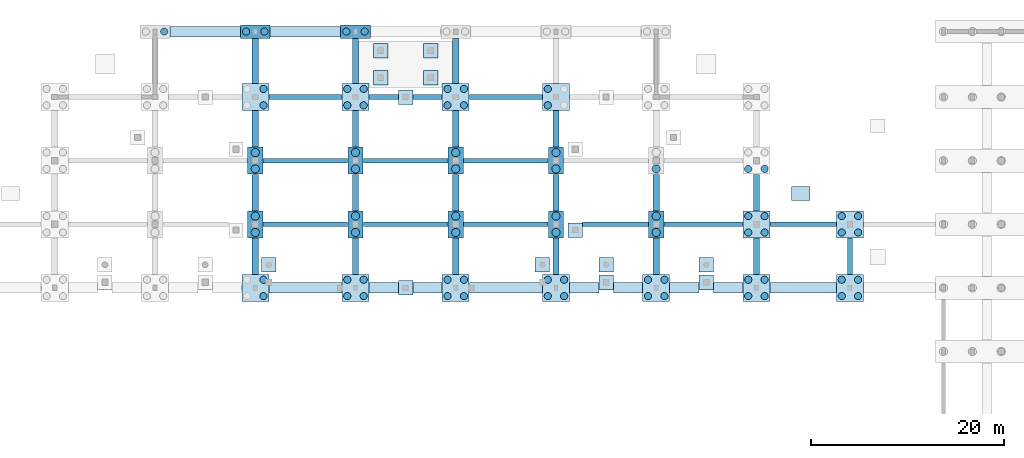
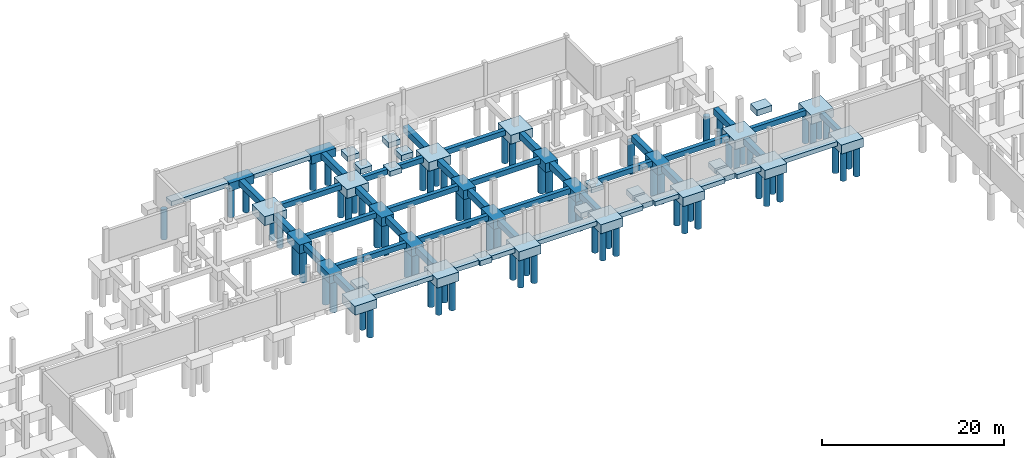
# One storey, part 4 of 21: 82 footings, 72 piles.
"""IFC4 building model written with IfcOpenShell, lengths in metres."""

from ifc_helpers import new_model, si_unit, derived_unit, direction, frame, origin, origin_2d, place, context, subcontext, project, spatial, rectangle, circle, extrude, material, material_profile, profile_set, type_object, element, save


model = new_model("IFC4")

# Units and contexts
model_context = context("Model", 3, precision=1e-05, world=origin(), true_north=direction((0.0, 1.0)))
body_context = subcontext(model_context, "Body", "Model", "MODEL_VIEW")
ifc_project = project(units=[si_unit("LENGTHUNIT", "METRE"), si_unit("AREAUNIT", "SQUARE_METRE"), si_unit("VOLUMEUNIT", "CUBIC_METRE"), si_unit("PLANEANGLEUNIT", "RADIAN"), si_unit("MASSUNIT", "GRAM", prefix="KILO"), derived_unit("THERMALTRANSMITTANCEUNIT", [(si_unit("POWERUNIT", "WATT"), 1), (si_unit("LENGTHUNIT", "METRE"), -2), (si_unit("THERMODYNAMICTEMPERATUREUNIT", "KELVIN"), -1)])], contexts=[model_context])

# Site, building, storey
site_placement = place(None, origin())
site = spatial("IfcSite", under=ifc_project, at=site_placement, CompositionType="ELEMENT")
building_placement = place(site_placement, origin())
building = spatial("IfcBuilding", under=site, at=building_placement, Name="Braskholm Square Health Centre", CompositionType="ELEMENT")
storey_placement = place(building_placement, frame((0.0, 0.0, -4.5)))
storey = spatial("IfcBuildingStorey", under=building, at=storey_placement, Name="B01", CompositionType="ELEMENT", Elevation=-4.5)

# Piles
ifc_material = material(Name="Concrete C40/50 (f'c = 40 MPa)", Category="concrete")
ifc_material_profile_1 = material_profile(ifc_material, circle(Radius=0.375, at=origin_2d()), Name="BORED-PILE-750")
ifc_profile_set_1 = profile_set([ifc_material_profile_1], Name="Concrete C40/50 (f'c = 40 MPa)")
pile_type_1 = type_object("IfcPileType", Name="BoredShaft750", PredefinedType="BORED", material=ifc_profile_set_1)
for number, where, z_axis, x_axis, name in (
    (1, (58.949951171875, 113.800048828125, -1.0), (0.0, 0.0, -1.0), (1.0, 0.0, 0.0), "Rock-socketed shaft 0304"),
    (2, (69.25, 86.35009765625, -1.10009765625), (0.0, 0.0, -1.0), (1.0, 0.0, 0.0), "Rock-socketed shaft 0306"),
    (3, (69.25, 88.050048828125, -1.10009765625), (0.0, 0.0, -1.0), (1.0, 0.0, 0.0), "Rock-socketed shaft 0308"),
    (4, (69.25, 106.14990234375, -1.10009765625), (0.0, 0.0, -1.0), (1.0, 0.0, 0.0), "Rock-socketed shaft 0314"),
    (5, (69.25, 107.85009765625, -1.10009765625), (0.0, 0.0, -1.0), (1.0, 0.0, 0.0), "Rock-socketed shaft 0316"),
    (6, (67.449951171875, 113.800048828125, -1.0), (0.0, 0.0, -1.0), (1.0, 0.0, 0.0), "Rock-socketed shaft 0317"),
    (7, (69.35009765625, 113.800048828125, -1.0), (0.0, 0.0, -1.0), (1.0, 0.0, 0.0), "Rock-socketed shaft 0318"),
    (8, (77.949951171875, 86.35009765625, -1.10009765625), (0.0, 0.0, -1.0), (1.0, 0.0, 0.0), "Rock-socketed shaft 0319"),
    (9, (79.64990234375, 86.35009765625, -1.10009765625), (0.0, 0.0, -1.0), (1.0, 0.0, 0.0), "Rock-socketed shaft 0320"),
    (10, (77.949951171875, 88.050048828125, -1.10009765625), (0.0, 0.0, -1.0), (1.0, 0.0, 0.0), "Rock-socketed shaft 0321"),
    (11, (79.64990234375, 88.050048828125, -1.10009765625), (0.0, 0.0, -1.0), (1.0, 0.0, 0.0), "Rock-socketed shaft 0322"),
    (12, (77.949951171875, 106.14990234375, -1.10009765625), (0.0, 0.0, -1.0), (1.0, 0.0, 0.0), "Rock-socketed shaft 0327"),
    (13, (79.64990234375, 106.14990234375, -1.10009765625), (0.0, 0.0, -1.0), (1.0, 0.0, 0.0), "Rock-socketed shaft 0328"),
    (14, (77.949951171875, 107.85009765625, -1.10009765625), (0.0, 0.0, -1.0), (1.0, 0.0, 0.0), "Rock-socketed shaft 0329"),
    (15, (79.64990234375, 107.85009765625, -1.10009765625), (0.0, 0.0, -1.0), (1.0, 0.0, 0.0), "Rock-socketed shaft 0330"),
    (16, (77.85009765625, 113.800048828125, -1.0), (0.0, 0.0, -1.0), (1.0, 0.0, 0.0), "Rock-socketed shaft 0331"),
    (17, (79.75, 113.800048828125, -1.0), (0.0, 0.0, -1.0), (1.0, 0.0, 0.0), "Rock-socketed shaft 0332"),
    (18, (88.35009765625, 86.35009765625, -1.10009765625), (0.0, 0.0, -1.0), (1.0, 0.0, 0.0), "Rock-socketed shaft 0333"),
    (19, (90.050048828125, 86.35009765625, -1.10009765625), (0.0, 0.0, -1.0), (1.0, 0.0, 0.0), "Rock-socketed shaft 0334"),
    (20, (88.35009765625, 88.050048828125, -1.10009765625), (0.0, 0.0, -1.0), (1.0, 0.0, 0.0), "Rock-socketed shaft 0335"),
    (21, (90.050048828125, 88.050048828125, -1.10009765625), (0.0, 0.0, -1.0), (1.0, 0.0, 0.0), "Rock-socketed shaft 0336"),
    (22, (88.35009765625, 106.14990234375, -1.10009765625), (0.0, 0.0, -1.0), (1.0, 0.0, 0.0), "Rock-socketed shaft 0341"),
    (23, (90.050048828125, 106.14990234375, -1.10009765625), (0.0, 0.0, -1.0), (1.0, 0.0, 0.0), "Rock-socketed shaft 0342"),
    (24, (88.35009765625, 107.85009765625, -1.10009765625), (0.0, 0.0, -1.0), (1.0, 0.0, 0.0), "Rock-socketed shaft 0343"),
    (25, (90.050048828125, 107.85009765625, -1.10009765625), (0.0, 0.0, -1.0), (1.0, 0.0, 0.0), "Rock-socketed shaft 0344"),
    (26, (98.75, 86.35009765625, -1.10009765625), (0.0, 0.0, -1.0), (1.0, 0.0, 0.0), "Rock-socketed shaft 0347"),
    (27, (100.449951171875, 86.35009765625, -1.10009765625), (0.0, 0.0, -1.0), (1.0, 0.0, 0.0), "Rock-socketed shaft 0348"),
    (28, (98.75, 88.050048828125, -1.10009765625), (0.0, 0.0, -1.0), (1.0, 0.0, 0.0), "Rock-socketed shaft 0349"),
    (29, (100.449951171875, 88.050048828125, -1.10009765625), (0.0, 0.0, -1.0), (1.0, 0.0, 0.0), "Rock-socketed shaft 0350"),
    (30, (98.75, 106.14990234375, -1.10009765625), (0.0, 0.0, -1.0), (1.0, 0.0, 0.0), "Rock-socketed shaft 0355"),
    (31, (98.75, 107.85009765625, -1.10009765625), (0.0, 0.0, -1.0), (1.0, 0.0, 0.0), "Rock-socketed shaft 0357"),
    (32, (109.14990234375, 86.35009765625, -1.10009765625), (0.0, 0.0, -1.0), (1.0, 0.0, 0.0), "Rock-socketed shaft 0361"),
    (33, (110.85009765625, 86.35009765625, -1.10009765625), (0.0, 0.0, -1.0), (1.0, 0.0, 0.0), "Rock-socketed shaft 0362"),
    (34, (109.14990234375, 88.050048828125, -1.10009765625), (0.0, 0.0, -1.0), (1.0, 0.0, 0.0), "Rock-socketed shaft 0363"),
    (35, (110.85009765625, 88.050048828125, -1.10009765625), (0.0, 0.0, -1.0), (1.0, 0.0, 0.0), "Rock-socketed shaft 0364"),
    (36, (119.550048828125, 86.35009765625, -1.10009765625), (0.0, 0.0, -1.0), (1.0, 0.0, 0.0), "Rock-socketed shaft 0375"),
    (37, (121.25, 86.35009765625, -1.10009765625), (0.0, 0.0, -1.0), (1.0, 0.0, 0.0), "Rock-socketed shaft 0376"),
    (38, (119.550048828125, 88.050048828125, -1.10009765625), (0.0, 0.0, -1.0), (1.0, 0.0, 0.0), "Rock-socketed shaft 0377"),
    (39, (121.25, 88.050048828125, -1.10009765625), (0.0, 0.0, -1.0), (1.0, 0.0, 0.0), "Rock-socketed shaft 0378"),
    (40, (119.550048828125, 92.949951171875, -1.10009765625), (0.0, 0.0, -1.0), (1.0, 0.0, 0.0), "Rock-socketed shaft 0379"),
    (41, (121.25, 92.949951171875, -1.10009765625), (0.0, 0.0, -1.0), (1.0, 0.0, 0.0), "Rock-socketed shaft 0380"),
    (42, (119.550048828125, 94.64990234375, -1.10009765625), (0.0, 0.0, -1.0), (1.0, 0.0, 0.0), "Rock-socketed shaft 0381"),
    (43, (121.25, 94.64990234375, -1.10009765625), (0.0, 0.0, -1.0), (1.0, 0.0, 0.0), "Rock-socketed shaft 0382"),
    (44, (119.550048828125, 99.550048828125, -1.10009765625), (0.0, 0.0, -1.0), (1.0, 0.0, 0.0), "Rock-socketed shaft 0383"),
    (45, (121.25, 99.550048828125, -1.10009765625), (0.0, 0.0, -1.0), (1.0, 0.0, 0.0), "Rock-socketed shaft 0384"),
    (46, (129.25, 86.35009765625, -1.10009765625), (0.0, 0.0, -1.0), (1.0, 0.0, 0.0), "Rock-socketed shaft 0391"),
    (47, (130.949951171875, 86.35009765625, -1.10009765625), (0.0, 0.0, -1.0), (1.0, 0.0, 0.0), "Rock-socketed shaft 0392"),
    (48, (129.25, 88.050048828125, -1.10009765625), (0.0, 0.0, -1.0), (1.0, 0.0, 0.0), "Rock-socketed shaft 0393"),
    (49, (130.949951171875, 88.050048828125, -1.10009765625), (0.0, 0.0, -1.0), (1.0, 0.0, 0.0), "Rock-socketed shaft 0394"),
    (50, (129.25, 92.949951171875, -1.10009765625), (0.0, 0.0, -1.0), (1.0, 0.0, 0.0), "Rock-socketed shaft 0395"),
    (51, (130.949951171875, 92.949951171875, -1.10009765625), (0.0, 0.0, -1.0), (1.0, 0.0, 0.0), "Rock-socketed shaft 0396"),
    (52, (129.25, 94.64990234375, -1.10009765625), (0.0, 0.0, -1.0), (1.0, 0.0, 0.0), "Rock-socketed shaft 0397"),
    (53, (130.949951171875, 94.64990234375, -1.10009765625), (0.0, 0.0, -1.0), (1.0, 0.0, 0.0), "Rock-socketed shaft 0398"),
):
    element("IfcPile", number, at=place(storey_placement, frame(where, z_axis=z_axis, x_axis=x_axis)), inside=storey, type_object=pile_type_1, Name=name, PredefinedType="BORED", context=body_context, shape_type="SweptSolid", body=[
        extrude(circle(Radius=0.375, at=origin_2d()), origin(), (0.0, 0.0, 1.0), 4.0),
    ])
ifc_material_profile_2 = material_profile(ifc_material, circle(Radius=0.425048828125, at=origin_2d()), Name="BORED-PILE-850")
ifc_profile_set_2 = profile_set([ifc_material_profile_2], Name="Concrete C40/50 (f'c = 40 MPa)")
pile_type_2 = type_object("IfcPileType", Name="BoredShaft850", PredefinedType="BORED", material=ifc_profile_set_2)
for number, where, z_axis, x_axis, name in (
    (54, (68.39990234375, 92.949951171875, -1.10009765625), (0.0, 0.0, -1.0), (1.0, 0.0, 0.0), "Rock-socketed shaft 0309"),
    (55, (68.39990234375, 94.64990234375, -1.10009765625), (0.0, 0.0, -1.0), (1.0, 0.0, 0.0), "Rock-socketed shaft 0310"),
    (56, (68.39990234375, 99.550048828125, -1.10009765625), (0.0, 0.0, -1.0), (1.0, 0.0, 0.0), "Rock-socketed shaft 0311"),
    (57, (68.39990234375, 101.25, -1.10009765625), (0.0, 0.0, -1.0), (1.0, 0.0, 0.0), "Rock-socketed shaft 0312"),
    (58, (78.800048828125, 92.949951171875, -1.10009765625), (0.0, 0.0, -1.0), (1.0, 0.0, 0.0), "Rock-socketed shaft 0323"),
    (59, (78.800048828125, 94.64990234375, -1.10009765625), (0.0, 0.0, -1.0), (1.0, 0.0, 0.0), "Rock-socketed shaft 0324"),
    (60, (78.800048828125, 99.550048828125, -1.10009765625), (0.0, 0.0, -1.0), (1.0, 0.0, 0.0), "Rock-socketed shaft 0325"),
    (61, (78.800048828125, 101.25, -1.10009765625), (0.0, 0.0, -1.0), (1.0, 0.0, 0.0), "Rock-socketed shaft 0326"),
    (62, (89.199951171875, 92.949951171875, -1.10009765625), (0.0, 0.0, -1.0), (1.0, 0.0, 0.0), "Rock-socketed shaft 0337"),
    (63, (89.199951171875, 94.64990234375, -1.10009765625), (0.0, 0.0, -1.0), (1.0, 0.0, 0.0), "Rock-socketed shaft 0338"),
    (64, (89.199951171875, 99.550048828125, -1.10009765625), (0.0, 0.0, -1.0), (1.0, 0.0, 0.0), "Rock-socketed shaft 0339"),
    (65, (89.199951171875, 101.25, -1.10009765625), (0.0, 0.0, -1.0), (1.0, 0.0, 0.0), "Rock-socketed shaft 0340"),
    (66, (99.60009765625, 92.949951171875, -1.10009765625), (0.0, 0.0, -1.0), (1.0, 0.0, 0.0), "Rock-socketed shaft 0351"),
    (67, (99.60009765625, 94.64990234375, -1.10009765625), (0.0, 0.0, -1.0), (1.0, 0.0, 0.0), "Rock-socketed shaft 0352"),
    (68, (99.60009765625, 99.550048828125, -1.10009765625), (0.0, 0.0, -1.0), (1.0, 0.0, 0.0), "Rock-socketed shaft 0353"),
    (69, (99.60009765625, 101.25, -1.10009765625), (0.0, 0.0, -1.0), (1.0, 0.0, 0.0), "Rock-socketed shaft 0354"),
    (70, (110.0, 92.949951171875, -1.10009765625), (0.0, 0.0, -1.0), (1.0, 0.0, 0.0), "Rock-socketed shaft 0365"),
    (71, (110.0, 94.64990234375, -1.10009765625), (0.0, 0.0, -1.0), (1.0, 0.0, 0.0), "Rock-socketed shaft 0366"),
    (72, (110.0, 99.550048828125, -1.10009765625), (0.0, 0.0, -1.0), (1.0, 0.0, 0.0), "Rock-socketed shaft 0367"),
):
    element("IfcPile", number, at=place(storey_placement, frame(where, z_axis=z_axis, x_axis=x_axis)), inside=storey, type_object=pile_type_2, Name=name, PredefinedType="BORED", context=body_context, shape_type="SweptSolid", body=[
        extrude(circle(Radius=0.425048828125, at=origin_2d()), origin(), (0.0, 0.0, 1.0), 4.300048828125),
    ])

# Footings
ifc_material_profile_3 = material_profile(ifc_material, rectangle(XDim=0.64990234375, YDim=0.85009765625, at=origin_2d()), Name="FTG-650X850")
ifc_profile_set_3 = profile_set([ifc_material_profile_3], Name="Concrete C40/50 (f'c = 40 MPa)")
footing_type_1 = type_object("IfcFootingType", Name="GradeBeamHall650x850", PredefinedType="FOOTING_BEAM", material=ifc_profile_set_3)
for number, where, z_axis, x_axis, name in (
    (73, (68.39990234375, 88.60498046875, -0.425048828125), (0.0, 1.0, 0.0), (-1.0, 0.0, 0.0), "Foundation tie beam 0048"),
    (74, (68.39990234375, 95.205078125, -0.425048828125), (0.0, 1.0, 0.0), (-1.0, 0.0, 0.0), "Foundation tie beam 0049"),
    (75, (68.39990234375, 101.804931640625, -0.425048828125), (0.0, 1.0, 0.0), (-1.0, 0.0, 0.0), "Foundation tie beam 0050"),
):
    element("IfcFooting", number, at=place(storey_placement, frame(where, z_axis=z_axis, x_axis=x_axis)), inside=storey, type_object=footing_type_1, Name=name, PredefinedType="FOOTING_BEAM", context=body_context, shape_type="SweptSolid", body=[
        extrude(rectangle(XDim=0.64990234375, YDim=0.85009765625, at=origin_2d()), origin(), (0.0, 0.0, 1.0), 3.7900390625),
    ])
footing_1_placement = place(storey_placement, frame((68.39990234375, 108.405029296875, -0.425048828125), z_axis=(0.0, 1.0, 0.0), x_axis=(-1.0, 0.0, 0.0)))
element("IfcFooting", 76, at=footing_1_placement, inside=storey, type_object=footing_type_1, Name="Foundation tie beam 0051", PredefinedType="FOOTING_BEAM", context=body_context, shape_type="SweptSolid", body=[
    extrude(rectangle(XDim=0.64990234375, YDim=0.85009765625, at=origin_2d()), origin(), (0.0, 0.0, 1.0), 4.68994140625),
])
for number, where, z_axis, x_axis, name in (
    (77, (78.800048828125, 88.60498046875, -0.425048828125), (0.0, 1.0, 0.0), (-1.0, 0.0, 0.0), "Foundation tie beam 0052"),
    (78, (78.800048828125, 95.205078125, -0.425048828125), (0.0, 1.0, 0.0), (-1.0, 0.0, 0.0), "Foundation tie beam 0053"),
    (79, (78.800048828125, 101.804931640625, -0.425048828125), (0.0, 1.0, 0.0), (-1.0, 0.0, 0.0), "Foundation tie beam 0054"),
):
    element("IfcFooting", number, at=place(storey_placement, frame(where, z_axis=z_axis, x_axis=x_axis)), inside=storey, type_object=footing_type_1, Name=name, PredefinedType="FOOTING_BEAM", context=body_context, shape_type="SweptSolid", body=[
        extrude(rectangle(XDim=0.64990234375, YDim=0.85009765625, at=origin_2d()), origin(), (0.0, 0.0, 1.0), 3.7900390625),
    ])
footing_2_placement = place(storey_placement, frame((78.800048828125, 108.405029296875, -0.425048828125), z_axis=(0.0, 1.0, 0.0), x_axis=(-1.0, 0.0, 0.0)))
element("IfcFooting", 80, at=footing_2_placement, inside=storey, type_object=footing_type_1, Name="Foundation tie beam 0055", PredefinedType="FOOTING_BEAM", context=body_context, shape_type="SweptSolid", body=[
    extrude(rectangle(XDim=0.64990234375, YDim=0.85009765625, at=origin_2d()), origin(), (0.0, 0.0, 1.0), 4.68994140625),
])
for number, where, z_axis, x_axis, name in (
    (81, (89.199951171875, 88.60498046875, -0.425048828125), (0.0, 1.0, 0.0), (-1.0, 0.0, 0.0), "Foundation tie beam 0056"),
    (82, (89.199951171875, 95.205078125, -0.425048828125), (0.0, 1.0, 0.0), (-1.0, 0.0, 0.0), "Foundation tie beam 0057"),
    (83, (89.199951171875, 101.804931640625, -0.425048828125), (0.0, 1.0, 0.0), (-1.0, 0.0, 0.0), "Foundation tie beam 0058"),
):
    element("IfcFooting", number, at=place(storey_placement, frame(where, z_axis=z_axis, x_axis=x_axis)), inside=storey, type_object=footing_type_1, Name=name, PredefinedType="FOOTING_BEAM", context=body_context, shape_type="SweptSolid", body=[
        extrude(rectangle(XDim=0.64990234375, YDim=0.85009765625, at=origin_2d()), origin(), (0.0, 0.0, 1.0), 3.7900390625),
    ])
footing_3_placement = place(storey_placement, frame((89.199951171875, 108.405029296875, -0.425048828125), z_axis=(0.0, 1.0, 0.0), x_axis=(-1.0, 0.0, 0.0)))
element("IfcFooting", 84, at=footing_3_placement, inside=storey, type_object=footing_type_1, Name="Foundation tie beam 0059", PredefinedType="FOOTING_BEAM", context=body_context, shape_type="SweptSolid", body=[
    extrude(rectangle(XDim=0.64990234375, YDim=0.85009765625, at=origin_2d()), origin(), (0.0, 0.0, 1.0), 4.68994140625),
])
for number, where, z_axis, x_axis, name in (
    (85, (99.60009765625, 88.60498046875, -0.425048828125), (0.0, 1.0, 0.0), (-1.0, 0.0, 0.0), "Foundation tie beam 0060"),
    (86, (99.60009765625, 95.205078125, -0.425048828125), (0.0, 1.0, 0.0), (-1.0, 0.0, 0.0), "Foundation tie beam 0061"),
    (87, (99.60009765625, 101.804931640625, -0.425048828125), (0.0, 1.0, 0.0), (-1.0, 0.0, 0.0), "Foundation tie beam 0062"),
    (88, (110.0, 88.60498046875, -0.425048828125), (0.0, 1.0, 0.0), (-1.0, 0.0, 0.0), "Foundation tie beam 0064"),
    (89, (110.0, 95.205078125, -0.425048828125), (0.0, 1.0, 0.0), (-1.0, 0.0, 0.0), "Foundation tie beam 0065"),
    (90, (120.39990234375, 88.60498046875, -0.425048828125), (0.0, 1.0, 0.0), (-1.0, 0.0, 0.0), "Foundation tie beam 0068"),
    (91, (120.39990234375, 95.205078125, -0.425048828125), (0.0, 1.0, 0.0), (-1.0, 0.0, 0.0), "Foundation tie beam 0069"),
):
    element("IfcFooting", number, at=place(storey_placement, frame(where, z_axis=z_axis, x_axis=x_axis)), inside=storey, type_object=footing_type_1, Name=name, PredefinedType="FOOTING_BEAM", context=body_context, shape_type="SweptSolid", body=[
        extrude(rectangle(XDim=0.64990234375, YDim=0.85009765625, at=origin_2d()), origin(), (0.0, 0.0, 1.0), 3.7900390625),
    ])
ifc_material_profile_4 = material_profile(ifc_material, rectangle(XDim=0.5, YDim=0.699951171875, at=origin_2d()), Name="FTG-500X700")
ifc_profile_set_4 = profile_set([ifc_material_profile_4], Name="Concrete C40/50 (f'c = 40 MPa)")
footing_type_2 = type_object("IfcFootingType", Name="GradeBeamTie500x700", PredefinedType="FOOTING_BEAM", material=ifc_profile_set_4)
for number, where, z_axis, x_axis, name in (
    (92, (69.205078125, 93.800048828125, -0.35009765625), (1.0, 0.0, 0.0), (0.0, 1.0, 0.0), "Foundation tie beam 0179"),
    (93, (79.60498046875, 93.800048828125, -0.35009765625), (1.0, 0.0, 0.0), (0.0, 1.0, 0.0), "Foundation tie beam 0180"),
    (94, (90.0048828125, 93.800048828125, -0.35009765625), (1.0, 0.0, 0.0), (0.0, 1.0, 0.0), "Foundation tie beam 0181"),
):
    element("IfcFooting", number, at=place(storey_placement, frame(where, z_axis=z_axis, x_axis=x_axis)), inside=storey, type_object=footing_type_2, Name=name, PredefinedType="FOOTING_BEAM", context=body_context, shape_type="SweptSolid", body=[
        extrude(rectangle(XDim=0.5, YDim=0.699951171875, at=origin_2d()), origin(), (0.0, 0.0, 1.0), 8.7900390625),
    ])
footing_4_placement = place(storey_placement, frame((102.35400390625, 93.800048828125, -0.35009765625), z_axis=(1.0, 0.0, 0.0), x_axis=(0.0, 1.0, 0.0)))
element("IfcFooting", 95, at=footing_4_placement, inside=storey, type_object=footing_type_2, Name="Foundation tie beam 0182", PredefinedType="FOOTING_BEAM", context=body_context, shape_type="SweptSolid", body=[
    extrude(rectangle(XDim=0.5, YDim=0.699951171875, at=origin_2d()), origin(), (0.0, 0.0, 1.0), 6.841064453125),
])
footing_5_placement = place(storey_placement, frame((110.804931640625, 93.800048828125, -0.35009765625), z_axis=(1.0, 0.0, 0.0), x_axis=(0.0, 1.0, 0.0)))
element("IfcFooting", 96, at=footing_5_placement, inside=storey, type_object=footing_type_2, Name="Foundation tie beam 0183", PredefinedType="FOOTING_BEAM", context=body_context, shape_type="SweptSolid", body=[
    extrude(rectangle(XDim=0.5, YDim=0.699951171875, at=origin_2d()), origin(), (0.0, 0.0, 1.0), 8.190185546875),
])
footing_6_placement = place(storey_placement, frame((121.804931640625, 93.800048828125, -0.35009765625), z_axis=(1.0, 0.0, 0.0), x_axis=(0.0, 1.0, 0.0)))
element("IfcFooting", 97, at=footing_6_placement, inside=storey, type_object=footing_type_2, Name="Foundation tie beam 0184", PredefinedType="FOOTING_BEAM", context=body_context, shape_type="SweptSolid", body=[
    extrude(rectangle(XDim=0.5, YDim=0.699951171875, at=origin_2d()), origin(), (0.0, 0.0, 1.0), 6.89013671875),
])
for number, where, z_axis, x_axis, name in (
    (98, (69.205078125, 100.39990234375, -0.35009765625), (1.0, 0.0, 0.0), (0.0, 1.0, 0.0), "Foundation tie beam 0192"),
    (99, (79.60498046875, 100.39990234375, -0.35009765625), (1.0, 0.0, 0.0), (0.0, 1.0, 0.0), "Foundation tie beam 0193"),
    (100, (90.0048828125, 100.39990234375, -0.35009765625), (1.0, 0.0, 0.0), (0.0, 1.0, 0.0), "Foundation tie beam 0194"),
):
    element("IfcFooting", number, at=place(storey_placement, frame(where, z_axis=z_axis, x_axis=x_axis)), inside=storey, type_object=footing_type_2, Name=name, PredefinedType="FOOTING_BEAM", context=body_context, shape_type="SweptSolid", body=[
        extrude(rectangle(XDim=0.5, YDim=0.699951171875, at=origin_2d()), origin(), (0.0, 0.0, 1.0), 8.7900390625),
    ])
footing_7_placement = place(storey_placement, frame((69.804931640625, 107.0, -0.35009765625), z_axis=(1.0, 0.0, 0.0), x_axis=(0.0, 1.0, 0.0)))
element("IfcFooting", 101, at=footing_7_placement, inside=storey, type_object=footing_type_2, Name="Foundation tie beam 0204", PredefinedType="FOOTING_BEAM", context=body_context, shape_type="SweptSolid", body=[
    extrude(rectangle(XDim=0.5, YDim=0.699951171875, at=origin_2d()), origin(), (0.0, 0.0, 1.0), 7.590087890625),
])
for number, where, z_axis, x_axis, name in (
    (102, (80.205078125, 107.0, -0.35009765625), (1.0, 0.0, 0.0), (0.0, 1.0, 0.0), "Foundation tie beam 0205"),
    (103, (84.75390625, 107.0, -0.35009765625), (1.0, 0.0, 0.0), (0.0, 1.0, 0.0), "Foundation tie beam 0206"),
):
    element("IfcFooting", number, at=place(storey_placement, frame(where, z_axis=z_axis, x_axis=x_axis)), inside=storey, type_object=footing_type_2, Name=name, PredefinedType="FOOTING_BEAM", context=body_context, shape_type="SweptSolid", body=[
        extrude(rectangle(XDim=0.5, YDim=0.699951171875, at=origin_2d()), origin(), (0.0, 0.0, 1.0), 3.041015625),
    ])
footing_8_placement = place(storey_placement, frame((90.60498046875, 107.0, -0.35009765625), z_axis=(1.0, 0.0, 0.0), x_axis=(0.0, 1.0, 0.0)))
element("IfcFooting", 104, at=footing_8_placement, inside=storey, type_object=footing_type_2, Name="Foundation tie beam 0207", PredefinedType="FOOTING_BEAM", context=body_context, shape_type="SweptSolid", body=[
    extrude(rectangle(XDim=0.5, YDim=0.699951171875, at=origin_2d()), origin(), (0.0, 0.0, 1.0), 7.590087890625),
])
ifc_material_profile_5 = material_profile(ifc_material, rectangle(XDim=0.550048828125, YDim=0.75, at=origin_2d()), Name="FTG-550X750")
ifc_profile_set_5 = profile_set([ifc_material_profile_5], Name="Concrete C40/50 (f'c = 40 MPa)")
footing_type_3 = type_object("IfcFootingType", Name="GradeBeamTie550x750", PredefinedType="FOOTING_BEAM", material=ifc_profile_set_5)
footing_9_placement = place(storey_placement, frame((130.10009765625, 88.60498046875, -0.375), z_axis=(0.0, 1.0, 0.0), x_axis=(-1.0, 0.0, 0.0)))
element("IfcFooting", 105, at=footing_9_placement, inside=storey, type_object=footing_type_3, Name="Foundation tie beam 0071", PredefinedType="FOOTING_BEAM", context=body_context, shape_type="SweptSolid", body=[
    extrude(rectangle(XDim=0.550048828125, YDim=0.75, at=origin_2d()), origin(), (0.0, 0.0, 1.0), 3.7900390625),
])
footing_type_4 = type_object("IfcFootingType", Name="PadFootingScreen1500x1500", PredefinedType="PAD_FOOTING", material=ifc_material)
for number, where, z_axis, x_axis, name in (
    (106, (69.800048828125, 89.60009765625, -0.7001953125), (0.0, 0.0, 1.0), (1.0, 0.0, 0.0), "Special column pad footing RC03"),
    (107, (98.199951171875, 89.60009765625, -0.7001953125), (0.0, 0.0, 1.0), (1.0, 0.0, 0.0), "Special column pad footing RC04"),
    (108, (104.800048828125, 89.60009765625, -0.7001953125), (0.0, 0.0, 1.0), (1.0, 0.0, 0.0), "Special column pad footing RC05"),
    (109, (115.199951171875, 89.60009765625, -0.7001953125), (0.0, 0.0, 1.0), (1.0, 0.0, 0.0), "Special column pad footing RC06"),
    (110, (104.800048828125, 87.800048828125, -0.7001953125), (0.0, 0.0, 1.0), (1.0, 0.0, 0.0), "Special column pad footing CS1E"),
    (111, (115.199951171875, 87.800048828125, -0.7001953125), (0.0, 0.0, 1.0), (1.0, 0.0, 0.0), "Special column pad footing CS1F"),
    (112, (84.0, 87.199951171875, -0.7001953125), (0.0, 0.0, 1.0), (1.0, 0.0, 0.0), "Special column pad footing CS2B"),
    (113, (84.0, 107.0, -0.7001953125), (0.0, 0.0, 1.0), (1.0, 0.0, 0.0), "Special column pad footing CS2E"),
    (114, (101.60009765625, 93.199951171875, -0.7001953125), (0.0, 0.0, 1.0), (1.0, 0.0, 0.0), "Special column pad footing CS3B"),
    (115, (81.39990234375, 109.0, -0.7001953125), (0.0, 0.0, 1.0), (1.0, 0.0, 0.0), "Pool basin footing 1"),
    (116, (86.60009765625, 109.0, -0.7001953125), (0.0, 0.0, 1.0), (1.0, 0.0, 0.0), "Pool basin footing 2"),
    (117, (81.39990234375, 111.800048828125, -0.7001953125), (0.0, 0.0, 1.0), (1.0, 0.0, 0.0), "Pool basin footing 3"),
    (118, (86.60009765625, 111.800048828125, -0.7001953125), (0.0, 0.0, 1.0), (1.0, 0.0, 0.0), "Pool basin footing 4"),
):
    element("IfcFooting", number, at=place(storey_placement, frame(where, z_axis=z_axis, x_axis=x_axis)), inside=storey, type_object=footing_type_4, Name=name, PredefinedType="PAD_FOOTING", context=body_context, shape_type="SweptSolid", body=[
        extrude(rectangle(XDim=1.5, YDim=1.5, at=origin_2d()), origin(), (0.0, 0.0, 1.0), 0.699951171875),
    ])
footing_type_5 = type_object("IfcFootingType", Name="PadFootingStair1900x1500", PredefinedType="PAD_FOOTING", material=ifc_material)
footing_10_placement = place(storey_placement, frame((125.0, 97.0, -0.7998046875), z_axis=(0.0, 0.0, 1.0), x_axis=(1.0, 0.0, 0.0)))
element("IfcFooting", 119, at=footing_10_placement, inside=storey, type_object=footing_type_5, Name="Frost-depth pad footing 010", PredefinedType="PAD_FOOTING", context=body_context, shape_type="SweptSolid", body=[
    extrude(rectangle(XDim=1.89990234375, YDim=1.5, at=origin_2d()), origin(), (0.0, 0.0, 1.0), 0.800048828125),
])
footing_type_6 = type_object("IfcFootingType", Name="PileCap2Pile2800x1600", PredefinedType="PILE_CAP", material=ifc_material)
for number, where, z_axis, x_axis, name in (
    (120, (68.39990234375, 93.800048828125, -1.2001953125), (0.0, 0.0, 1.0), (0.0, 1.0, 0.0), "Column pile cap FTG-PC-0081 at 10/P"),
    (121, (68.39990234375, 100.39990234375, -1.2001953125), (0.0, 0.0, 1.0), (0.0, 1.0, 0.0), "Column pile cap FTG-PC-0082 at 10/Q"),
    (122, (78.800048828125, 93.800048828125, -1.2001953125), (0.0, 0.0, 1.0), (0.0, 1.0, 0.0), "Column pile cap FTG-PC-0086 at 11/P"),
    (123, (78.800048828125, 100.39990234375, -1.2001953125), (0.0, 0.0, 1.0), (0.0, 1.0, 0.0), "Column pile cap FTG-PC-0087 at 11/Q"),
    (124, (89.199951171875, 93.800048828125, -1.2001953125), (0.0, 0.0, 1.0), (0.0, 1.0, 0.0), "Column pile cap FTG-PC-0091 at 12/P"),
    (125, (89.199951171875, 100.39990234375, -1.2001953125), (0.0, 0.0, 1.0), (0.0, 1.0, 0.0), "Column pile cap FTG-PC-0092 at 12/Q"),
    (126, (99.60009765625, 93.800048828125, -1.2001953125), (0.0, 0.0, 1.0), (0.0, 1.0, 0.0), "Column pile cap FTG-PC-0096 at 13/P"),
    (127, (99.60009765625, 100.39990234375, -1.2001953125), (0.0, 0.0, 1.0), (0.0, 1.0, 0.0), "Column pile cap FTG-PC-0097 at 13/Q"),
    (128, (110.0, 93.800048828125, -1.2001953125), (0.0, 0.0, 1.0), (0.0, 1.0, 0.0), "Column pile cap FTG-PC-0101 at 14/P"),
):
    element("IfcFooting", number, at=place(storey_placement, frame(where, z_axis=z_axis, x_axis=x_axis)), inside=storey, type_object=footing_type_6, Name=name, PredefinedType="PILE_CAP", context=body_context, shape_type="SweptSolid", body=[
        extrude(rectangle(XDim=2.800048828125, YDim=1.60009765625, at=origin_2d()), origin(), (0.0, 0.0, 1.0), 1.199951171875),
    ])
footing_type_7 = type_object("IfcFootingType", Name="PileCap2Pile3100x1400", PredefinedType="PILE_CAP", material=ifc_material)
for number, where, z_axis, x_axis, name in (
    (129, (68.39990234375, 113.800048828125, -1.10009765625), (0.0, 0.0, 1.0), (1.0, 0.0, 0.0), "Column pile cap FTG-PC-0084 at 10/S"),
    (130, (78.800048828125, 113.800048828125, -1.10009765625), (0.0, 0.0, 1.0), (1.0, 0.0, 0.0), "Column pile cap FTG-PC-0089 at 11/S"),
):
    element("IfcFooting", number, at=place(storey_placement, frame(where, z_axis=z_axis, x_axis=x_axis)), inside=storey, type_object=footing_type_7, Name=name, PredefinedType="PILE_CAP", context=body_context, shape_type="SweptSolid", body=[
        extrude(rectangle(XDim=3.10009765625, YDim=1.39990234375, at=origin_2d()), origin(), (0.0, 0.0, 1.0), 1.10009765625),
    ])
footing_type_8 = type_object("IfcFootingType", Name="PileCap4Pile2800x2800", PredefinedType="PILE_CAP", material=ifc_material)
for number, where, z_axis, x_axis, name in (
    (131, (68.39990234375, 87.199951171875, -1.2001953125), (0.0, 0.0, 1.0), (1.0, 0.0, 0.0), "Column pile cap FTG-PC-0080 at 10/N"),
    (132, (68.39990234375, 107.0, -1.2001953125), (0.0, 0.0, 1.0), (1.0, 0.0, 0.0), "Column pile cap FTG-PC-0083 at 10/R"),
    (133, (78.800048828125, 87.199951171875, -1.2001953125), (0.0, 0.0, 1.0), (1.0, 0.0, 0.0), "Column pile cap FTG-PC-0085 at 11/N"),
    (134, (78.800048828125, 107.0, -1.2001953125), (0.0, 0.0, 1.0), (1.0, 0.0, 0.0), "Column pile cap FTG-PC-0088 at 11/R"),
    (135, (89.199951171875, 87.199951171875, -1.2001953125), (0.0, 0.0, 1.0), (1.0, 0.0, 0.0), "Column pile cap FTG-PC-0090 at 12/N"),
    (136, (89.199951171875, 107.0, -1.2001953125), (0.0, 0.0, 1.0), (1.0, 0.0, 0.0), "Column pile cap FTG-PC-0093 at 12/R"),
    (137, (99.60009765625, 87.199951171875, -1.2001953125), (0.0, 0.0, 1.0), (1.0, 0.0, 0.0), "Column pile cap FTG-PC-0095 at 13/N"),
    (138, (99.60009765625, 107.0, -1.2001953125), (0.0, 0.0, 1.0), (1.0, 0.0, 0.0), "Column pile cap FTG-PC-0098 at 13/R"),
    (139, (110.0, 87.199951171875, -1.2001953125), (0.0, 0.0, 1.0), (1.0, 0.0, 0.0), "Column pile cap FTG-PC-0100 at 14/N"),
    (140, (120.39990234375, 87.199951171875, -1.2001953125), (0.0, 0.0, 1.0), (1.0, 0.0, 0.0), "Column pile cap FTG-PC-0105 at 15/N"),
    (141, (120.39990234375, 93.800048828125, -1.2001953125), (0.0, 0.0, 1.0), (1.0, 0.0, 0.0), "Column pile cap FTG-PC-0106 at 15/P"),
    (142, (130.10009765625, 87.199951171875, -1.2001953125), (0.0, 0.0, 1.0), (1.0, 0.0, 0.0), "Column pile cap FTG-PC-0109 at 16/N"),
    (143, (130.10009765625, 93.800048828125, -1.2001953125), (0.0, 0.0, 1.0), (1.0, 0.0, 0.0), "Column pile cap FTG-PC-0110 at 16/P"),
):
    element("IfcFooting", number, at=place(storey_placement, frame(where, z_axis=z_axis, x_axis=x_axis)), inside=storey, type_object=footing_type_8, Name=name, PredefinedType="PILE_CAP", context=body_context, shape_type="SweptSolid", body=[
        extrude(rectangle(XDim=2.800048828125, YDim=2.800048828125, at=origin_2d()), origin(), (0.0, 0.0, 1.0), 1.199951171875),
    ])
ifc_material_profile_6 = material_profile(ifc_material, rectangle(XDim=1.10009765625, YDim=0.60009765625, at=origin_2d()), Name="FTG-1100X600")
ifc_profile_set_6 = profile_set([ifc_material_profile_6], Name="Concrete C40/50 (f'c = 40 MPa)")
footing_type_9 = type_object("IfcFootingType", Name="StripFootingWall1100x600", PredefinedType="STRIP_FOOTING", material=ifc_profile_set_6)
footing_11_placement = place(storey_placement, frame((69.804931640625, 87.199951171875, -0.300048828125), z_axis=(1.0, 0.0, 0.0), x_axis=(0.0, 1.0, 0.0)))
element("IfcFooting", 144, at=footing_11_placement, inside=storey, type_object=footing_type_9, Name="Foundation tie beam 0163", PredefinedType="STRIP_FOOTING", context=body_context, shape_type="SweptSolid", body=[
    extrude(rectangle(XDim=1.10009765625, YDim=0.60009765625, at=origin_2d()), origin(), (0.0, 0.0, 1.0), 7.590087890625),
])
for number, where, z_axis, x_axis, name in (
    (145, (80.205078125, 87.199951171875, -0.300048828125), (1.0, 0.0, 0.0), (0.0, 1.0, 0.0), "Foundation tie beam 0164"),
    (146, (84.75390625, 87.199951171875, -0.300048828125), (1.0, 0.0, 0.0), (0.0, 1.0, 0.0), "Foundation tie beam 0165"),
):
    element("IfcFooting", number, at=place(storey_placement, frame(where, z_axis=z_axis, x_axis=x_axis)), inside=storey, type_object=footing_type_9, Name=name, PredefinedType="STRIP_FOOTING", context=body_context, shape_type="SweptSolid", body=[
        extrude(rectangle(XDim=1.10009765625, YDim=0.60009765625, at=origin_2d()), origin(), (0.0, 0.0, 1.0), 3.041015625),
    ])
footing_12_placement = place(storey_placement, frame((90.60498046875, 87.199951171875, -0.300048828125), z_axis=(1.0, 0.0, 0.0), x_axis=(0.0, 1.0, 0.0)))
element("IfcFooting", 147, at=footing_12_placement, inside=storey, type_object=footing_type_9, Name="Foundation tie beam 0166", PredefinedType="STRIP_FOOTING", context=body_context, shape_type="SweptSolid", body=[
    extrude(rectangle(XDim=1.10009765625, YDim=0.60009765625, at=origin_2d()), origin(), (0.0, 0.0, 1.0), 7.590087890625),
])
for number, where, z_axis, x_axis, name in (
    (148, (101.0048828125, 87.199951171875, -0.300048828125), (1.0, 0.0, 0.0), (0.0, 1.0, 0.0), "Foundation tie beam 0167"),
    (149, (105.553955078125, 87.199951171875, -0.300048828125), (1.0, 0.0, 0.0), (0.0, 1.0, 0.0), "Foundation tie beam 0168"),
    (150, (111.405029296875, 87.199951171875, -0.300048828125), (1.0, 0.0, 0.0), (0.0, 1.0, 0.0), "Foundation tie beam 0169"),
    (151, (115.9541015625, 87.199951171875, -0.300048828125), (1.0, 0.0, 0.0), (0.0, 1.0, 0.0), "Foundation tie beam 0170"),
):
    element("IfcFooting", number, at=place(storey_placement, frame(where, z_axis=z_axis, x_axis=x_axis)), inside=storey, type_object=footing_type_9, Name=name, PredefinedType="STRIP_FOOTING", context=body_context, shape_type="SweptSolid", body=[
        extrude(rectangle(XDim=1.10009765625, YDim=0.60009765625, at=origin_2d()), origin(), (0.0, 0.0, 1.0), 3.041015625),
    ])
footing_13_placement = place(storey_placement, frame((121.804931640625, 87.199951171875, -0.300048828125), z_axis=(1.0, 0.0, 0.0), x_axis=(0.0, 1.0, 0.0)))
element("IfcFooting", 152, at=footing_13_placement, inside=storey, type_object=footing_type_9, Name="Foundation tie beam 0171", PredefinedType="STRIP_FOOTING", context=body_context, shape_type="SweptSolid", body=[
    extrude(rectangle(XDim=1.10009765625, YDim=0.60009765625, at=origin_2d()), origin(), (0.0, 0.0, 1.0), 6.89013671875),
])
for number, where, z_axis, x_axis, name in (
    (153, (59.554931640625, 113.800048828125, -0.300048828125), (1.0, 0.0, 0.0), (0.0, 1.0, 0.0), "Foundation tie beam 0215"),
    (154, (69.955078125, 113.800048828125, -0.300048828125), (1.0, 0.0, 0.0), (0.0, 1.0, 0.0), "Foundation tie beam 0216"),
):
    element("IfcFooting", number, at=place(storey_placement, frame(where, z_axis=z_axis, x_axis=x_axis)), inside=storey, type_object=footing_type_9, Name=name, PredefinedType="STRIP_FOOTING", context=body_context, shape_type="SweptSolid", body=[
        extrude(rectangle(XDim=1.10009765625, YDim=0.60009765625, at=origin_2d()), origin(), (0.0, 0.0, 1.0), 7.2900390625),
    ])

save(model, "model.ifc")
